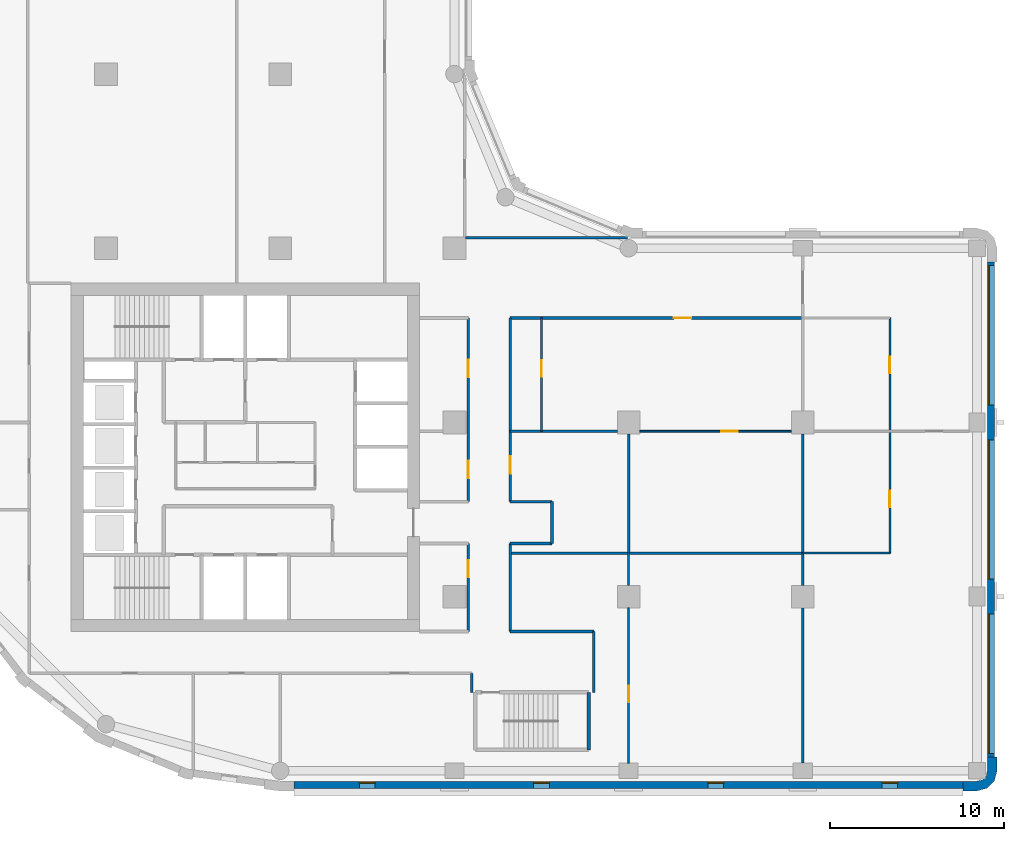
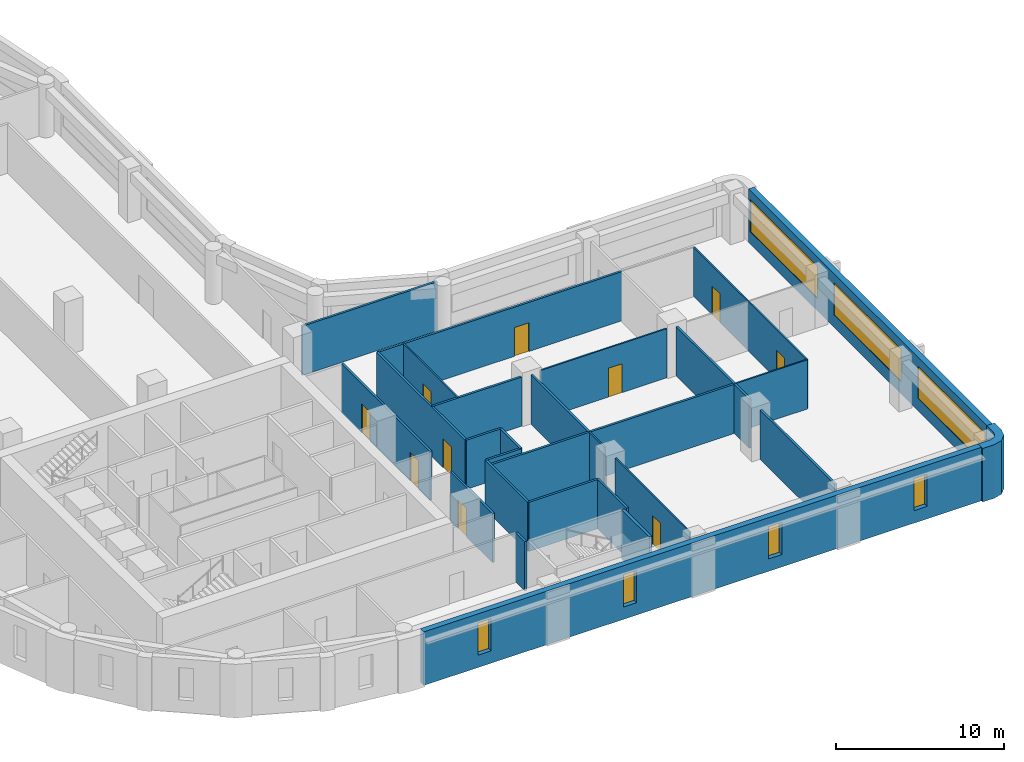
# One storey, part 4 of 9: 27 walls, 10 doors, 7 windows, 17 openings.
"""IFC4 building model written with IfcOpenShell, lengths in metres."""

from ifc_helpers import new_model, si_unit, direction, frame, frame_2d, origin, place, context, subcontext, project, spatial, polyline, rectangle, outline, extrude, material, layer, layer_set, type_object, element, fill, save


model = new_model("IFC4")

# Units and contexts
model_context = context("Model", 3, precision=1e-05, world=origin(), true_north=direction((0.0, 1.0)))
body_context = subcontext(model_context, "Body", "Model", "MODEL_VIEW")
ifc_project = project(units=[si_unit("LENGTHUNIT", "METRE"), si_unit("AREAUNIT", "SQUARE_METRE"), si_unit("VOLUMEUNIT", "CUBIC_METRE"), si_unit("PLANEANGLEUNIT", "RADIAN"), si_unit("MASSUNIT", "GRAM", prefix="KILO")], contexts=[model_context])

# Site, building, storey
site_placement = place(None, origin())
site = spatial("IfcSite", under=ifc_project, at=site_placement, CompositionType="ELEMENT")
building_placement = place(site_placement, origin())
building = spatial("IfcBuilding", under=site, at=building_placement, Name="Qaws Garden Tower", CompositionType="ELEMENT")
storey_placement = place(building_placement, frame((0.0, 0.0, 229.199951171875)))
storey = spatial("IfcBuildingStorey", under=building, at=storey_placement, Name="L56", CompositionType="ELEMENT", Elevation=229.199951171875)

# Wall
ifc_material_1 = material(Name="Clay facing brick masonry", Category="masonry")
ifc_layer_1 = layer(ifc_material_1, 0.550048828125)
ifc_layer_set_1 = layer_set([ifc_layer_1], Name="Clay facing brick masonry")
wall_type_1 = type_object("IfcWallType", Name="Brick corner pier 550 x 2400", PredefinedType="SOLIDWALL", material=ifc_layer_set_1)
wall_1_placement = place(storey_placement, origin())
element("IfcWall", 1, at=wall_1_placement, inside=storey, type_object=wall_type_1, Name="E-L56-pier-04", PredefinedType="SOLIDWALL", context=body_context, shape_type="SweptSolid", body=[
    extrude(outline(polyline([(59.199951171875, -1.0), (59.199951171875, -1.14990234375), (60.0, -1.14990234375), (60.574951171875, -0.995849609375), (60.995849609375, -0.574951171875), (61.14990234375, 0.0), (61.14990234375, 0.800048828125), (61.0, 0.800048828125), (60.60009765625, 0.800048828125), (60.60009765625, 0.0), (60.51953125, -0.300048828125), (60.300048828125, -0.51953125), (60.0, -0.60009765625), (59.199951171875, -0.60009765625), (59.199951171875, -1.0)])), origin(), (0.0, 0.0, 1.0), 3.900146484375),
])

# Wall, openings, windows
ifc_material_2 = material(Name="Clay facing brick masonry", Category="masonry")
ifc_layer_2 = layer(ifc_material_2, 0.39990234375)
ifc_layer_set_2 = layer_set([ifc_layer_2], Name="Clay facing brick masonry")
wall_type_2 = type_object("IfcWallType", Name="Brick infill wall 400", PredefinedType="SOLIDWALL", material=ifc_layer_set_2)
wall_2_placement = place(storey_placement, frame((20.800048828125, -0.800048828125, 0.0), z_axis=(0.0, 0.0, 1.0), x_axis=(1.0, 0.0, 0.0)))
wall_2 = element("IfcWall", 2, at=wall_2_placement, inside=storey, type_object=wall_type_2, Name="E-L56-infill-00", PredefinedType="SOLIDWALL", context=body_context, shape_type="SweptSolid", body=[
    extrude(rectangle(XDim=38.39990234375, YDim=0.39990234375, at=frame_2d((19.199951171875, 0.0))), origin(), (0.0, 0.0, 1.0), 3.900146484375),
])
opening_1_placement = place(wall_2_placement, frame((3.75, 0.0, 0.89990234375)))
opening_1 = element("IfcOpeningElement", 3, at=opening_1_placement, cuts=wall_2, Name="Opening W09", PredefinedType="OPENING", context=body_context, shape_type="SweptSolid", body=[
    extrude(rectangle(XDim=0.89990234375, YDim=2.35009765625, at=frame_2d((0.449951171875, 1.175048828125))), frame((0.0, 0.2099609375, 0.0), z_axis=(0.0, -1.0, 0.0), x_axis=(1.0, 0.0, 0.0)), (0.0, 0.0, 1.0), 0.419921875),
])
opening_2_placement = place(wall_2_placement, frame((13.75, 0.0, 0.89990234375)))
opening_2 = element("IfcOpeningElement", 4, at=opening_2_placement, cuts=wall_2, Name="Opening W09", PredefinedType="OPENING", context=body_context, shape_type="SweptSolid", body=[
    extrude(rectangle(XDim=0.89990234375, YDim=2.35009765625, at=frame_2d((0.449951171875, 1.175048828125))), frame((0.0, 0.2099609375, 0.0), z_axis=(0.0, -1.0, 0.0), x_axis=(1.0, 0.0, 0.0)), (0.0, 0.0, 1.0), 0.419921875),
])
opening_3_placement = place(wall_2_placement, frame((23.75, 0.0, 0.89990234375)))
opening_3 = element("IfcOpeningElement", 5, at=opening_3_placement, cuts=wall_2, Name="Opening W09", PredefinedType="OPENING", context=body_context, shape_type="SweptSolid", body=[
    extrude(rectangle(XDim=0.89990234375, YDim=2.35009765625, at=frame_2d((0.449951171875, 1.175048828125))), frame((0.0, 0.2099609375, 0.0), z_axis=(0.0, -1.0, 0.0), x_axis=(1.0, 0.0, 0.0)), (0.0, 0.0, 1.0), 0.419921875),
])
opening_4_placement = place(wall_2_placement, frame((33.75, 0.0, 0.89990234375)))
opening_4 = element("IfcOpeningElement", 6, at=opening_4_placement, cuts=wall_2, Name="Opening W09", PredefinedType="OPENING", context=body_context, shape_type="SweptSolid", body=[
    extrude(rectangle(XDim=0.89990234375, YDim=2.35009765625, at=frame_2d((0.449951171875, 1.175048828125))), frame((0.0, 0.2099609375, 0.0), z_axis=(0.0, -1.0, 0.0), x_axis=(1.0, 0.0, 0.0)), (0.0, 0.0, 1.0), 0.419921875),
])
ifc_material_3 = material(Name="Aluminium framed window, clear glazing", Category="aluminium")
window_type_1 = type_object("IfcWindowType", Name="Slit window 900 x 2350", PartitioningType="SINGLE_PANEL", PredefinedType="WINDOW", material=ifc_material_3)
window_1_placement = place(opening_1_placement, origin())
window_1 = element("IfcWindow", 7, at=window_1_placement, inside=storey, type_object=window_type_1, Name="E-L56-window-00-0", OverallHeight=2.35009765625, OverallWidth=0.89990234375, PartitioningType="SINGLE_PANEL", PredefinedType="WINDOW", context=body_context, shape_type="SweptSolid", body=[
    extrude(rectangle(XDim=0.89990234375, YDim=2.35009765625, at=frame_2d((0.449951171875, 1.175048828125))), frame((0.0, 0.159912109375, 0.0), z_axis=(0.0, -1.0, 0.0), x_axis=(1.0, 0.0, 0.0)), (0.0, 0.0, 1.0), 0.06005859375),
])
fill(opening_1, window_1)
window_2_placement = place(opening_2_placement, origin())
window_2 = element("IfcWindow", 8, at=window_2_placement, inside=storey, type_object=window_type_1, Name="E-L56-window-01-0", OverallHeight=2.35009765625, OverallWidth=0.89990234375, PartitioningType="SINGLE_PANEL", PredefinedType="WINDOW", context=body_context, shape_type="SweptSolid", body=[
    extrude(rectangle(XDim=0.89990234375, YDim=2.35009765625, at=frame_2d((0.449951171875, 1.175048828125))), frame((0.0, 0.159912109375, 0.0), z_axis=(0.0, -1.0, 0.0), x_axis=(1.0, 0.0, 0.0)), (0.0, 0.0, 1.0), 0.06005859375),
])
fill(opening_2, window_2)
window_3_placement = place(opening_3_placement, origin())
window_3 = element("IfcWindow", 9, at=window_3_placement, inside=storey, type_object=window_type_1, Name="E-L56-window-02-0", OverallHeight=2.35009765625, OverallWidth=0.89990234375, PartitioningType="SINGLE_PANEL", PredefinedType="WINDOW", context=body_context, shape_type="SweptSolid", body=[
    extrude(rectangle(XDim=0.89990234375, YDim=2.35009765625, at=frame_2d((0.449951171875, 1.175048828125))), frame((0.0, 0.159912109375, 0.0), z_axis=(0.0, -1.0, 0.0), x_axis=(1.0, 0.0, 0.0)), (0.0, 0.0, 1.0), 0.06005859375),
])
fill(opening_3, window_3)
window_4_placement = place(opening_4_placement, origin())
window_4 = element("IfcWindow", 10, at=window_4_placement, inside=storey, type_object=window_type_1, Name="E-L56-window-03-0", OverallHeight=2.35009765625, OverallWidth=0.89990234375, PartitioningType="SINGLE_PANEL", PredefinedType="WINDOW", context=body_context, shape_type="SweptSolid", body=[
    extrude(rectangle(XDim=0.89990234375, YDim=2.35009765625, at=frame_2d((0.449951171875, 1.175048828125))), frame((0.0, 0.159912109375, 0.0), z_axis=(0.0, -1.0, 0.0), x_axis=(1.0, 0.0, 0.0)), (0.0, 0.0, 1.0), 0.06005859375),
])
fill(opening_4, window_4)

wall_3_placement = place(storey_placement, frame((60.800048828125, 0.800048828125, 0.0), z_axis=(0.0, 0.0, 1.0), x_axis=(0.0, 1.0, 0.0)))
wall_3 = element("IfcWall", 11, at=wall_3_placement, inside=storey, type_object=wall_type_2, Name="E-L56-infill-04", PredefinedType="SOLIDWALL", context=body_context, shape_type="SweptSolid", body=[
    extrude(rectangle(XDim=28.39990234375, YDim=0.39990234375, at=frame_2d((14.199951171875, 0.0))), origin(), (0.0, 0.0, 1.0), 3.900146484375),
])
opening_5_placement = place(wall_3_placement, frame((0.199951171875, 0.0, 0.89990234375)))
opening_5 = element("IfcOpeningElement", 12, at=opening_5_placement, cuts=wall_3, Name="Opening W01", PredefinedType="OPENING", context=body_context, shape_type="SweptSolid", body=[
    extrude(rectangle(XDim=8.0, YDim=2.35009765625, at=frame_2d((4.0, 1.175048828125))), frame((0.0, 0.2099609375, 0.0), z_axis=(0.0, -1.0, 0.0), x_axis=(1.0, 0.0, 0.0)), (0.0, 0.0, 1.0), 0.419921875),
])
opening_6_placement = place(wall_3_placement, frame((10.199951171875, 0.0, 0.89990234375)))
opening_6 = element("IfcOpeningElement", 13, at=opening_6_placement, cuts=wall_3, Name="Opening W01", PredefinedType="OPENING", context=body_context, shape_type="SweptSolid", body=[
    extrude(rectangle(XDim=8.0, YDim=2.35009765625, at=frame_2d((4.0, 1.175048828125))), frame((0.0, 0.2099609375, 0.0), z_axis=(0.0, -1.0, 0.0), x_axis=(1.0, 0.0, 0.0)), (0.0, 0.0, 1.0), 0.419921875),
])
opening_7_placement = place(wall_3_placement, frame((20.199951171875, 0.0, 0.89990234375)))
opening_7 = element("IfcOpeningElement", 14, at=opening_7_placement, cuts=wall_3, Name="Opening W01", PredefinedType="OPENING", context=body_context, shape_type="SweptSolid", body=[
    extrude(rectangle(XDim=8.0, YDim=2.35009765625, at=frame_2d((4.0, 1.175048828125))), frame((0.0, 0.2099609375, 0.0), z_axis=(0.0, -1.0, 0.0), x_axis=(1.0, 0.0, 0.0)), (0.0, 0.0, 1.0), 0.419921875),
])
ifc_material_4 = material(Name="Aluminium framed window, clear glazing", Category="aluminium")
window_type_2 = type_object("IfcWindowType", Name="Ribbon window 8000 x 2350", PartitioningType="DOUBLE_PANEL_VERTICAL", PredefinedType="WINDOW", material=ifc_material_4)
window_5_placement = place(opening_5_placement, origin())
window_5 = element("IfcWindow", 15, at=window_5_placement, inside=storey, type_object=window_type_2, Name="E-L56-window-04-0", OverallHeight=2.35009765625, OverallWidth=8.0, PartitioningType="SINGLE_PANEL", PredefinedType="WINDOW", context=body_context, shape_type="SweptSolid", body=[
    extrude(rectangle(XDim=8.0, YDim=2.35009765625, at=frame_2d((4.0, 1.175048828125))), frame((0.0, 0.159912109375, 0.0), z_axis=(0.0, -1.0, 0.0), x_axis=(1.0, 0.0, 0.0)), (0.0, 0.0, 1.0), 0.06005859375),
])
fill(opening_5, window_5)
window_6_placement = place(opening_6_placement, origin())
window_6 = element("IfcWindow", 16, at=window_6_placement, inside=storey, type_object=window_type_2, Name="E-L56-window-05-0", OverallHeight=2.35009765625, OverallWidth=8.0, PartitioningType="SINGLE_PANEL", PredefinedType="WINDOW", context=body_context, shape_type="SweptSolid", body=[
    extrude(rectangle(XDim=8.0, YDim=2.35009765625, at=frame_2d((4.0, 1.175048828125))), frame((0.0, 0.159912109375, 0.0), z_axis=(0.0, -1.0, 0.0), x_axis=(1.0, 0.0, 0.0)), (0.0, 0.0, 1.0), 0.06005859375),
])
fill(opening_6, window_6)
window_7_placement = place(opening_7_placement, origin())
window_7 = element("IfcWindow", 17, at=window_7_placement, inside=storey, type_object=window_type_2, Name="E-L56-window-06-0", OverallHeight=2.35009765625, OverallWidth=8.0, PartitioningType="SINGLE_PANEL", PredefinedType="WINDOW", context=body_context, shape_type="SweptSolid", body=[
    extrude(rectangle(XDim=8.0, YDim=2.35009765625, at=frame_2d((4.0, 1.175048828125))), frame((0.0, 0.159912109375, 0.0), z_axis=(0.0, -1.0, 0.0), x_axis=(1.0, 0.0, 0.0)), (0.0, 0.0, 1.0), 0.06005859375),
])
fill(opening_7, window_7)

# Wall
ifc_material_5 = material(Name="Concrete C70", Category="concrete")
ifc_layer_3 = layer(ifc_material_5, 0.199951171875)
ifc_layer_set_3 = layer_set([ifc_layer_3], Name="Concrete C70")
wall_type_3 = type_object("IfcWallType", Name="Core shaft wall 200 C70", PredefinedType="SHEAR", material=ifc_layer_set_3)
wall_4_placement = place(storey_placement, frame((37.699951171875, 1.199951171875, 0.0), z_axis=(0.0, 0.0, 1.0), x_axis=(0.0, 1.0, 0.0)))
element("IfcWall", 18, at=wall_4_placement, inside=storey, type_object=wall_type_3, Name="Shaft wall", PredefinedType="SHEAR", context=body_context, shape_type="SweptSolid", body=[
    extrude(rectangle(XDim=3.300048828125, YDim=0.199951171875, at=frame_2d((1.64990234375, 0.0))), origin(), (0.0, 0.0, 1.0), 3.580078125),
])

# Wall, opening, door
ifc_material_6 = material(Name="Gypsum board partition")
ifc_layer_4 = layer(ifc_material_6, 0.10009765625)
ifc_layer_set_4 = layer_set([ifc_layer_4], Name="Gypsum board partition")
wall_type_4 = type_object("IfcWallType", Name="PARTITION 100", PredefinedType="PARTITIONING", material=ifc_layer_set_4)
wall_5_placement = place(storey_placement, frame((35.0, 19.5, 0.0), z_axis=(0.0, 0.0, 1.0), x_axis=(0.0, 1.0, 0.0)))
wall_5 = element("IfcWall", 19, at=wall_5_placement, inside=storey, type_object=wall_type_4, Name="O-L56-wall-001", PredefinedType="PARTITIONING", context=body_context, shape_type="SweptSolid", body=[
    extrude(rectangle(XDim=6.5, YDim=0.10009765625, at=frame_2d((3.25, 0.0))), origin(), (0.0, 0.0, 1.0), 3.580078125),
])
opening_8_placement = place(wall_5_placement, frame((3.125, 0.0, 0.0)))
opening_8 = element("IfcOpeningElement", 20, at=opening_8_placement, cuts=wall_5, Name="Opening B921", PredefinedType="OPENING", context=body_context, shape_type="SweptSolid", body=[
    extrude(rectangle(XDim=0.949951171875, YDim=2.10009765625, at=frame_2d((0.47509765625, 1.050048828125))), frame((0.0, 0.06005859375, 0.0), z_axis=(0.0, -1.0, 0.0), x_axis=(1.0, 0.0, 0.0)), (0.0, 0.0, 1.0), 0.1201171875),
])
ifc_material_7 = material(Name="Timber and glass door leaf", Category="wood")
door_type_1 = type_object("IfcDoorType", Name="GLAZED DOOR 950 X 2100", OperationType="SINGLE_SWING_LEFT", PredefinedType="DOOR", material=ifc_material_7)
door_1_placement = place(opening_8_placement, origin())
door_1 = element("IfcDoor", 21, at=door_1_placement, inside=storey, type_object=door_type_1, Name="O-L56-door-021", OperationType="SINGLE_SWING_RIGHT", OverallHeight=2.10009765625, OverallWidth=0.949951171875, PredefinedType="DOOR", context=body_context, shape_type="SweptSolid", body=[
    extrude(rectangle(XDim=0.949951171875, YDim=2.10009765625, at=frame_2d((0.47509765625, 1.050048828125))), frame((0.0, 0.02490234375, 0.0), z_axis=(0.0, -1.0, 0.0), x_axis=(1.0, 0.0, 0.0)), (0.0, 0.0, 1.0), 0.050048828125),
])
fill(opening_8, door_1)

wall_6_placement = place(storey_placement, frame((40.0, 0.449951171875, 0.0), z_axis=(0.0, 0.0, 1.0), x_axis=(0.0, 1.0, 0.0)))
wall_6 = element("IfcWall", 22, at=wall_6_placement, inside=storey, type_object=wall_type_4, Name="O-L56-wall-002", PredefinedType="PARTITIONING", context=body_context, shape_type="SweptSolid", body=[
    extrude(rectangle(XDim=8.900146484375, YDim=0.10009765625, at=frame_2d((4.4501953125, 0.0))), origin(), (0.0, 0.0, 1.0), 3.580078125),
])
opening_9_placement = place(wall_6_placement, frame((3.47509765625, 0.0, 0.0)))
opening_9 = element("IfcOpeningElement", 23, at=opening_9_placement, cuts=wall_6, Name="Opening B919", PredefinedType="OPENING", context=body_context, shape_type="SweptSolid", body=[
    extrude(rectangle(XDim=0.949951171875, YDim=2.10009765625, at=frame_2d((0.47509765625, 1.050048828125))), frame((0.0, 0.06005859375, 0.0), z_axis=(0.0, -1.0, 0.0), x_axis=(1.0, 0.0, 0.0)), (0.0, 0.0, 1.0), 0.1201171875),
])
door_2_placement = place(opening_9_placement, origin())
door_2 = element("IfcDoor", 24, at=door_2_placement, inside=storey, type_object=door_type_1, Name="O-L56-door-019", OperationType="SINGLE_SWING_RIGHT", OverallHeight=2.10009765625, OverallWidth=0.949951171875, PredefinedType="DOOR", context=body_context, shape_type="SweptSolid", body=[
    extrude(rectangle(XDim=0.949951171875, YDim=2.10009765625, at=frame_2d((0.47509765625, 1.050048828125))), frame((0.0, 0.02490234375, 0.0), z_axis=(0.0, -1.0, 0.0), x_axis=(1.0, 0.0, 0.0)), (0.0, 0.0, 1.0), 0.050048828125),
])
fill(opening_9, door_2)

# Wall
wall_7_placement = place(storey_placement, frame((40.0, 10.64990234375, 0.0), z_axis=(0.0, 0.0, 1.0), x_axis=(0.0, 1.0, 0.0)))
element("IfcWall", 25, at=wall_7_placement, inside=storey, type_object=wall_type_4, Name="O-L56-wall-003", PredefinedType="PARTITIONING", context=body_context, shape_type="SweptSolid", body=[
    extrude(rectangle(XDim=1.85009765625, YDim=0.10009765625, at=frame_2d((0.925048828125, 0.0))), origin(), (0.0, 0.0, 1.0), 3.580078125),
])

# Wall, openings, doors
wall_8_placement = place(storey_placement, frame((55.0, 12.5, 0.0), z_axis=(0.0, 0.0, 1.0), x_axis=(0.0, 1.0, 0.0)))
wall_8 = element("IfcWall", 26, at=wall_8_placement, inside=storey, type_object=wall_type_4, Name="O-L56-wall-004", PredefinedType="PARTITIONING", context=body_context, shape_type="SweptSolid", body=[
    extrude(rectangle(XDim=13.5, YDim=0.10009765625, at=frame_2d((6.75, 0.0))), origin(), (0.0, 0.0, 1.0), 3.580078125),
])
opening_10_placement = place(wall_8_placement, frame((10.324951171875, 0.0, 0.0)))
opening_10 = element("IfcOpeningElement", 27, at=opening_10_placement, cuts=wall_8, Name="Opening B922", PredefinedType="OPENING", context=body_context, shape_type="SweptSolid", body=[
    extrude(rectangle(XDim=0.949951171875, YDim=2.10009765625, at=frame_2d((0.47509765625, 1.050048828125))), frame((0.0, 0.06005859375, 0.0), z_axis=(0.0, -1.0, 0.0), x_axis=(1.0, 0.0, 0.0)), (0.0, 0.0, 1.0), 0.1201171875),
])
opening_11_placement = place(wall_8_placement, frame((2.625, 0.0, 0.0)))
opening_11 = element("IfcOpeningElement", 28, at=opening_11_placement, cuts=wall_8, Name="Opening B923", PredefinedType="OPENING", context=body_context, shape_type="SweptSolid", body=[
    extrude(rectangle(XDim=0.949951171875, YDim=2.10009765625, at=frame_2d((0.47509765625, 1.050048828125))), frame((0.0, 0.06005859375, 0.0), z_axis=(0.0, -1.0, 0.0), x_axis=(1.0, 0.0, 0.0)), (0.0, 0.0, 1.0), 0.1201171875),
])
door_3_placement = place(opening_10_placement, origin())
door_3 = element("IfcDoor", 29, at=door_3_placement, inside=storey, type_object=door_type_1, Name="O-L56-door-022", OperationType="SINGLE_SWING_RIGHT", OverallHeight=2.10009765625, OverallWidth=0.949951171875, PredefinedType="DOOR", context=body_context, shape_type="SweptSolid", body=[
    extrude(rectangle(XDim=0.949951171875, YDim=2.10009765625, at=frame_2d((0.47509765625, 1.050048828125))), frame((0.0, 0.02490234375, 0.0), z_axis=(0.0, -1.0, 0.0), x_axis=(1.0, 0.0, 0.0)), (0.0, 0.0, 1.0), 0.050048828125),
])
fill(opening_10, door_3)
door_4_placement = place(opening_11_placement, origin())
door_4 = element("IfcDoor", 30, at=door_4_placement, inside=storey, type_object=door_type_1, Name="O-L56-door-023", OperationType="SINGLE_SWING_RIGHT", OverallHeight=2.10009765625, OverallWidth=0.949951171875, PredefinedType="DOOR", context=body_context, shape_type="SweptSolid", body=[
    extrude(rectangle(XDim=0.949951171875, YDim=2.10009765625, at=frame_2d((0.47509765625, 1.050048828125))), frame((0.0, 0.02490234375, 0.0), z_axis=(0.0, -1.0, 0.0), x_axis=(1.0, 0.0, 0.0)), (0.0, 0.0, 1.0), 0.050048828125),
])
fill(opening_11, door_4)

# Wall
wall_9_placement = place(storey_placement, frame((50.0, 12.5, 0.0), z_axis=(0.0, 0.0, 1.0), x_axis=(1.0, 0.0, 0.0)))
element("IfcWall", 31, at=wall_9_placement, inside=storey, type_object=wall_type_4, Name="O-L56-wall-005", PredefinedType="PARTITIONING", context=body_context, shape_type="SweptSolid", body=[
    extrude(rectangle(XDim=5.0, YDim=0.10009765625, at=frame_2d((2.5, 0.0))), origin(), (0.0, 0.0, 1.0), 3.580078125),
])

# Wall, opening, door
wall_10_placement = place(storey_placement, frame((40.64990234375, 19.5, 0.0), z_axis=(0.0, 0.0, 1.0), x_axis=(1.0, 0.0, 0.0)))
wall_10 = element("IfcWall", 32, at=wall_10_placement, inside=storey, type_object=wall_type_4, Name="O-L56-wall-006", PredefinedType="PARTITIONING", context=body_context, shape_type="SweptSolid", body=[
    extrude(rectangle(XDim=8.7001953125, YDim=0.10009765625, at=frame_2d((4.35009765625, 0.0))), origin(), (0.0, 0.0, 1.0), 3.580078125),
])
opening_12_placement = place(wall_10_placement, frame((4.675048828125, 0.0, 0.0)))
opening_12 = element("IfcOpeningElement", 33, at=opening_12_placement, cuts=wall_10, Name="Opening B918", PredefinedType="OPENING", context=body_context, shape_type="SweptSolid", body=[
    extrude(rectangle(XDim=0.949951171875, YDim=2.10009765625, at=frame_2d((0.47509765625, 1.050048828125))), frame((0.0, 0.06005859375, 0.0), z_axis=(0.0, -1.0, 0.0), x_axis=(1.0, 0.0, 0.0)), (0.0, 0.0, 1.0), 0.1201171875),
])
door_5_placement = place(opening_12_placement, frame((0.949951171875, 0.0, 0.0), z_axis=(0.0, 0.0, 1.0), x_axis=(-1.0, 0.0, 0.0)))
door_5 = element("IfcDoor", 34, at=door_5_placement, inside=storey, type_object=door_type_1, Name="O-L56-door-018", OperationType="SINGLE_SWING_RIGHT", OverallHeight=2.10009765625, OverallWidth=0.949951171875, PredefinedType="DOOR", context=body_context, shape_type="SweptSolid", body=[
    extrude(rectangle(XDim=0.949951171875, YDim=2.10009765625, at=frame_2d((0.47509765625, 1.050048828125))), frame((0.0, 0.02490234375, 0.0), z_axis=(0.0, -1.0, 0.0), x_axis=(1.0, 0.0, 0.0)), (0.0, 0.0, 1.0), 0.050048828125),
])
fill(opening_12, door_5)

ifc_material_8 = material(Name="Gypsum board partition")
ifc_layer_5 = layer(ifc_material_8, 0.14990234375)
ifc_layer_set_5 = layer_set([ifc_layer_5], Name="Gypsum board partition")
wall_type_5 = type_object("IfcWallType", Name="PARTITION 150 EI 60", PredefinedType="PARTITIONING", material=ifc_layer_set_5)
wall_11_placement = place(storey_placement, frame((30.800048828125, 8.0009765625, 0.0), z_axis=(0.0, 0.0, 1.0), x_axis=(0.0, 1.0, 0.0)))
wall_11 = element("IfcWall", 35, at=wall_11_placement, inside=storey, type_object=wall_type_5, Name="O-L56-wall-019", PredefinedType="PARTITIONING", context=body_context, shape_type="SweptSolid", body=[
    extrude(rectangle(XDim=5.048095703125, YDim=0.14990234375, at=frame_2d((2.52392578125, 0.0))), origin(), (0.0, 0.0, 1.0), 3.580078125),
])
opening_13_placement = place(wall_11_placement, frame((3.10009765625, 0.0, 0.0)))
opening_13 = element("IfcOpeningElement", 36, at=opening_13_placement, cuts=wall_11, Name="Opening B904", PredefinedType="OPENING", context=body_context, shape_type="SweptSolid", body=[
    extrude(rectangle(XDim=1.0, YDim=2.10009765625, at=frame_2d((0.5, 1.050048828125))), frame((0.0, 0.0849609375, 0.0), z_axis=(0.0, -1.0, 0.0), x_axis=(1.0, 0.0, 0.0)), (0.0, 0.0, 1.0), 0.169921875),
])
ifc_material_9 = material(Name="Timber door leaf", Category="wood")
door_type_2 = type_object("IfcDoorType", Name="TENANCY ENTRANCE DOOR 1000 X 2100", OperationType="SINGLE_SWING_LEFT", PredefinedType="DOOR", material=ifc_material_9)
door_6_placement = place(opening_13_placement, origin())
door_6 = element("IfcDoor", 37, at=door_6_placement, inside=storey, type_object=door_type_2, Name="O-L56-door-004", OperationType="SINGLE_SWING_RIGHT", OverallHeight=2.10009765625, OverallWidth=1.0, PredefinedType="DOOR", context=body_context, shape_type="SweptSolid", body=[
    extrude(rectangle(XDim=1.0, YDim=2.10009765625, at=frame_2d((0.5, 1.050048828125))), frame((0.0, 0.02490234375, 0.0), z_axis=(0.0, -1.0, 0.0), x_axis=(1.0, 0.0, 0.0)), (0.0, 0.0, 1.0), 0.050048828125),
])
fill(opening_13, door_6)

# Wall, openings, doors
wall_12_placement = place(storey_placement, frame((30.800048828125, 15.449951171875, 0.0), z_axis=(0.0, 0.0, 1.0), x_axis=(0.0, 1.0, 0.0)))
wall_12 = element("IfcWall", 38, at=wall_12_placement, inside=storey, type_object=wall_type_5, Name="O-L56-wall-020", PredefinedType="PARTITIONING", context=body_context, shape_type="SweptSolid", body=[
    extrude(rectangle(XDim=10.550048828125, YDim=0.14990234375, at=frame_2d((5.27490234375, 0.0))), origin(), (0.0, 0.0, 1.0), 3.580078125),
])
opening_14_placement = place(wall_12_placement, frame((7.14990234375, 0.0, 0.0)))
opening_14 = element("IfcOpeningElement", 39, at=opening_14_placement, cuts=wall_12, Name="Opening B914", PredefinedType="OPENING", context=body_context, shape_type="SweptSolid", body=[
    extrude(rectangle(XDim=1.0, YDim=2.10009765625, at=frame_2d((0.5, 1.050048828125))), frame((0.0, 0.0849609375, 0.0), z_axis=(0.0, -1.0, 0.0), x_axis=(1.0, 0.0, 0.0)), (0.0, 0.0, 1.0), 0.169921875),
])
opening_15_placement = place(wall_12_placement, frame((1.35009765625, 0.0, 0.0)))
opening_15 = element("IfcOpeningElement", 40, at=opening_15_placement, cuts=wall_12, Name="Opening B917", PredefinedType="OPENING", context=body_context, shape_type="SweptSolid", body=[
    extrude(rectangle(XDim=1.0, YDim=2.10009765625, at=frame_2d((0.5, 1.050048828125))), frame((0.0, 0.0849609375, 0.0), z_axis=(0.0, -1.0, 0.0), x_axis=(1.0, 0.0, 0.0)), (0.0, 0.0, 1.0), 0.169921875),
])
door_7_placement = place(opening_14_placement, origin())
door_7 = element("IfcDoor", 41, at=door_7_placement, inside=storey, type_object=door_type_2, Name="O-L56-door-014", OperationType="SINGLE_SWING_RIGHT", OverallHeight=2.10009765625, OverallWidth=1.0, PredefinedType="DOOR", context=body_context, shape_type="SweptSolid", body=[
    extrude(rectangle(XDim=1.0, YDim=2.10009765625, at=frame_2d((0.5, 1.050048828125))), frame((0.0, 0.02490234375, 0.0), z_axis=(0.0, -1.0, 0.0), x_axis=(1.0, 0.0, 0.0)), (0.0, 0.0, 1.0), 0.050048828125),
])
fill(opening_14, door_7)
door_8_placement = place(opening_15_placement, origin())
door_8 = element("IfcDoor", 42, at=door_8_placement, inside=storey, type_object=door_type_2, Name="O-L56-door-017", OperationType="SINGLE_SWING_LEFT", OverallHeight=2.10009765625, OverallWidth=1.0, PredefinedType="DOOR", context=body_context, shape_type="SweptSolid", body=[
    extrude(rectangle(XDim=1.0, YDim=2.10009765625, at=frame_2d((0.5, 1.050048828125))), frame((0.0, 0.02490234375, 0.0), z_axis=(0.0, -1.0, 0.0), x_axis=(1.0, 0.0, 0.0)), (0.0, 0.0, 1.0), 0.050048828125),
])
fill(opening_15, door_8)

# Walls
wall_13_placement = place(storey_placement, frame((31.0, 4.5, 0.0), z_axis=(0.0, 0.0, 1.0), x_axis=(0.0, 1.0, 0.0)))
element("IfcWall", 43, at=wall_13_placement, inside=storey, type_object=wall_type_5, Name="O-L56-wall-021", PredefinedType="PARTITIONING", context=body_context, shape_type="SweptSolid", body=[
    extrude(rectangle(XDim=1.10009765625, YDim=0.14990234375, at=frame_2d((0.550048828125, 0.0))), origin(), (0.0, 0.0, 1.0), 3.580078125),
])
wall_14_placement = place(storey_placement, frame((33.199951171875, 8.0, 0.0), z_axis=(0.0, 0.0, 1.0), x_axis=(0.0, 1.0, 0.0)))
element("IfcWall", 44, at=wall_14_placement, inside=storey, type_object=wall_type_5, Name="O-L56-wall-022", PredefinedType="PARTITIONING", context=body_context, shape_type="SweptSolid", body=[
    extrude(rectangle(XDim=5.050048828125, YDim=0.14990234375, at=frame_2d((2.52490234375, 0.0))), origin(), (0.0, 0.0, 1.0), 3.580078125),
])

# Wall, opening, door
wall_15_placement = place(storey_placement, frame((33.199951171875, 15.449951171875, 0.0), z_axis=(0.0, 0.0, 1.0), x_axis=(0.0, 1.0, 0.0)))
wall_15 = element("IfcWall", 45, at=wall_15_placement, inside=storey, type_object=wall_type_5, Name="O-L56-wall-023", PredefinedType="PARTITIONING", context=body_context, shape_type="SweptSolid", body=[
    extrude(rectangle(XDim=10.550048828125, YDim=0.14990234375, at=frame_2d((5.27490234375, 0.0))), origin(), (0.0, 0.0, 1.0), 3.580078125),
])
opening_16_placement = place(wall_15_placement, frame((1.60009765625, 0.0, 0.0)))
opening_16 = element("IfcOpeningElement", 46, at=opening_16_placement, cuts=wall_15, Name="Opening B916", PredefinedType="OPENING", context=body_context, shape_type="SweptSolid", body=[
    extrude(rectangle(XDim=1.0, YDim=2.10009765625, at=frame_2d((0.5, 1.050048828125))), frame((0.0, 0.0849609375, 0.0), z_axis=(0.0, -1.0, 0.0), x_axis=(1.0, 0.0, 0.0)), (0.0, 0.0, 1.0), 0.169921875),
])
door_9_placement = place(opening_16_placement, frame((1.0, 0.0, 0.0), z_axis=(0.0, 0.0, 1.0), x_axis=(-1.0, 0.0, 0.0)))
door_9 = element("IfcDoor", 47, at=door_9_placement, inside=storey, type_object=door_type_2, Name="O-L56-door-016", OperationType="SINGLE_SWING_LEFT", OverallHeight=2.10009765625, OverallWidth=1.0, PredefinedType="DOOR", context=body_context, shape_type="SweptSolid", body=[
    extrude(rectangle(XDim=1.0, YDim=2.10009765625, at=frame_2d((0.5, 1.050048828125))), frame((0.0, 0.02490234375, 0.0), z_axis=(0.0, -1.0, 0.0), x_axis=(1.0, 0.0, 0.0)), (0.0, 0.0, 1.0), 0.050048828125),
])
fill(opening_16, door_9)

# Walls
wall_16_placement = place(storey_placement, frame((35.60009765625, 13.050048828125, 0.0), z_axis=(0.0, 0.0, 1.0), x_axis=(0.0, 1.0, 0.0)))
element("IfcWall", 48, at=wall_16_placement, inside=storey, type_object=wall_type_5, Name="O-L56-wall-024", PredefinedType="PARTITIONING", context=body_context, shape_type="SweptSolid", body=[
    extrude(rectangle(XDim=2.39990234375, YDim=0.14990234375, at=frame_2d((1.199951171875, 0.0))), origin(), (0.0, 0.0, 1.0), 3.580078125),
])
wall_17_placement = place(storey_placement, frame((38.0, 4.5, 0.0), z_axis=(0.0, 0.0, 1.0), x_axis=(0.0, 1.0, 0.0)))
element("IfcWall", 49, at=wall_17_placement, inside=storey, type_object=wall_type_5, Name="O-L56-wall-025", PredefinedType="PARTITIONING", context=body_context, shape_type="SweptSolid", body=[
    extrude(rectangle(XDim=3.5, YDim=0.14990234375, at=frame_2d((1.75, 0.0))), origin(), (0.0, 0.0, 1.0), 3.580078125),
])
wall_18_placement = place(storey_placement, frame((40.0, 12.5, 0.0), z_axis=(0.0, 0.0, 1.0), x_axis=(0.0, 1.0, 0.0)))
element("IfcWall", 50, at=wall_18_placement, inside=storey, type_object=wall_type_5, Name="O-L56-wall-026", PredefinedType="PARTITIONING", context=body_context, shape_type="SweptSolid", body=[
    extrude(rectangle(XDim=6.85009765625, YDim=0.14990234375, at=frame_2d((3.425048828125, 0.0))), origin(), (0.0, 0.0, 1.0), 3.580078125),
])
wall_19_placement = place(storey_placement, frame((50.0, 0.449951171875, 0.0), z_axis=(0.0, 0.0, 1.0), x_axis=(0.0, 1.0, 0.0)))
element("IfcWall", 51, at=wall_19_placement, inside=storey, type_object=wall_type_5, Name="O-L56-wall-027", PredefinedType="PARTITIONING", context=body_context, shape_type="SweptSolid", body=[
    extrude(rectangle(XDim=8.900146484375, YDim=0.14990234375, at=frame_2d((4.4501953125, 0.0))), origin(), (0.0, 0.0, 1.0), 3.580078125),
])
wall_20_placement = place(storey_placement, frame((50.0, 10.64990234375, 0.0), z_axis=(0.0, 0.0, 1.0), x_axis=(0.0, 1.0, 0.0)))
element("IfcWall", 52, at=wall_20_placement, inside=storey, type_object=wall_type_5, Name="O-L56-wall-028", PredefinedType="PARTITIONING", context=body_context, shape_type="SweptSolid", body=[
    extrude(rectangle(XDim=8.7001953125, YDim=0.14990234375, at=frame_2d((4.35009765625, 0.0))), origin(), (0.0, 0.0, 1.0), 3.580078125),
])
wall_21_placement = place(storey_placement, frame((33.199951171875, 8.0, 0.0), z_axis=(0.0, 0.0, 1.0), x_axis=(1.0, 0.0, 0.0)))
element("IfcWall", 53, at=wall_21_placement, inside=storey, type_object=wall_type_5, Name="O-L56-wall-032", PredefinedType="PARTITIONING", context=body_context, shape_type="SweptSolid", body=[
    extrude(rectangle(XDim=4.800048828125, YDim=0.14990234375, at=frame_2d((2.39990234375, 0.0))), origin(), (0.0, 0.0, 1.0), 3.580078125),
])
wall_22_placement = place(storey_placement, frame((33.199951171875, 12.5, 0.0), z_axis=(0.0, 0.0, 1.0), x_axis=(1.0, 0.0, 0.0)))
element("IfcWall", 54, at=wall_22_placement, inside=storey, type_object=wall_type_5, Name="O-L56-wall-033", PredefinedType="PARTITIONING", context=body_context, shape_type="SweptSolid", body=[
    extrude(rectangle(XDim=16.800048828125, YDim=0.14990234375, at=frame_2d((8.39990234375, 0.0))), origin(), (0.0, 0.0, 1.0), 3.580078125),
])
for number, where, z_axis, x_axis, name in (
    (55, (33.199951171875, 13.050048828125, 0.0), (0.0, 0.0, 1.0), (1.0, 0.0, 0.0), "O-L56-wall-035"),
    (56, (33.199951171875, 15.449951171875, 0.0), (0.0, 0.0, 1.0), (1.0, 0.0, 0.0), "O-L56-wall-038"),
):
    element("IfcWall", number, at=place(storey_placement, frame(where, z_axis=z_axis, x_axis=x_axis)), inside=storey, type_object=wall_type_5, Name=name, PredefinedType="PARTITIONING", context=body_context, shape_type="SweptSolid", body=[
        extrude(rectangle(XDim=2.400146484375, YDim=0.14990234375, at=frame_2d((1.2001953125, 0.0))), origin(), (0.0, 0.0, 1.0), 3.580078125),
    ])
wall_23_placement = place(storey_placement, frame((33.199951171875, 19.5, 0.0), z_axis=(0.0, 0.0, 1.0), x_axis=(1.0, 0.0, 0.0)))
element("IfcWall", 57, at=wall_23_placement, inside=storey, type_object=wall_type_5, Name="O-L56-wall-040", PredefinedType="PARTITIONING", context=body_context, shape_type="SweptSolid", body=[
    extrude(rectangle(XDim=6.150146484375, YDim=0.14990234375, at=frame_2d((3.0751953125, 0.0))), origin(), (0.0, 0.0, 1.0), 3.580078125),
])

# Wall, opening, door
wall_24_placement = place(storey_placement, frame((33.199951171875, 26.0, 0.0), z_axis=(0.0, 0.0, 1.0), x_axis=(1.0, 0.0, 0.0)))
wall_24 = element("IfcWall", 58, at=wall_24_placement, inside=storey, type_object=wall_type_5, Name="O-L56-wall-043", PredefinedType="PARTITIONING", context=body_context, shape_type="SweptSolid", body=[
    extrude(rectangle(XDim=16.800048828125, YDim=0.14990234375, at=frame_2d((8.39990234375, 0.0))), origin(), (0.0, 0.0, 1.0), 3.580078125),
])
opening_17_placement = place(wall_24_placement, frame((9.39990234375, 0.0, 0.0)))
opening_17 = element("IfcOpeningElement", 59, at=opening_17_placement, cuts=wall_24, Name="Opening B915", PredefinedType="OPENING", context=body_context, shape_type="SweptSolid", body=[
    extrude(rectangle(XDim=1.0, YDim=2.10009765625, at=frame_2d((0.5, 1.050048828125))), frame((0.0, 0.0849609375, 0.0), z_axis=(0.0, -1.0, 0.0), x_axis=(1.0, 0.0, 0.0)), (0.0, 0.0, 1.0), 0.169921875),
])
door_10_placement = place(opening_17_placement, frame((1.0, 0.0, 0.0), z_axis=(0.0, 0.0, 1.0), x_axis=(-1.0, 0.0, 0.0)))
door_10 = element("IfcDoor", 60, at=door_10_placement, inside=storey, type_object=door_type_2, Name="O-L56-door-015", OperationType="SINGLE_SWING_RIGHT", OverallHeight=2.10009765625, OverallWidth=1.0, PredefinedType="DOOR", context=body_context, shape_type="SweptSolid", body=[
    extrude(rectangle(XDim=1.0, YDim=2.10009765625, at=frame_2d((0.5, 1.050048828125))), frame((0.0, 0.02490234375, 0.0), z_axis=(0.0, -1.0, 0.0), x_axis=(1.0, 0.0, 0.0)), (0.0, 0.0, 1.0), 0.050048828125),
])
fill(opening_17, door_10)

# Wall
wall_25_placement = place(storey_placement, frame((30.64990234375, 30.60009765625, 0.0), z_axis=(0.0, 0.0, 1.0), x_axis=(1.0, 0.0, 0.0)))
element("IfcWall", 61, at=wall_25_placement, inside=storey, type_object=wall_type_5, Name="O-L56-wall-045", PredefinedType="PARTITIONING", context=body_context, shape_type="SweptSolid", body=[
    extrude(rectangle(XDim=9.288330078125, YDim=0.14990234375, at=frame_2d((4.64404296875, 0.0))), origin(), (0.0, 0.0, 1.0), 3.580078125),
])

save(model, "model.ifc")
